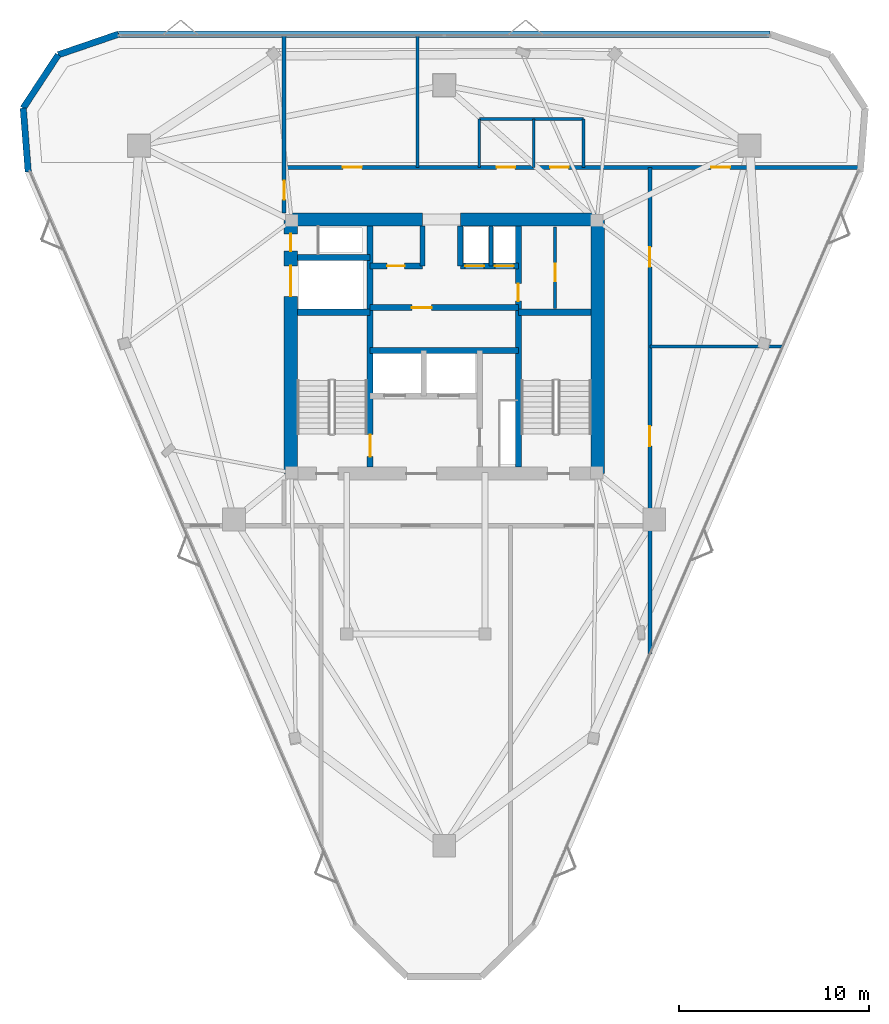
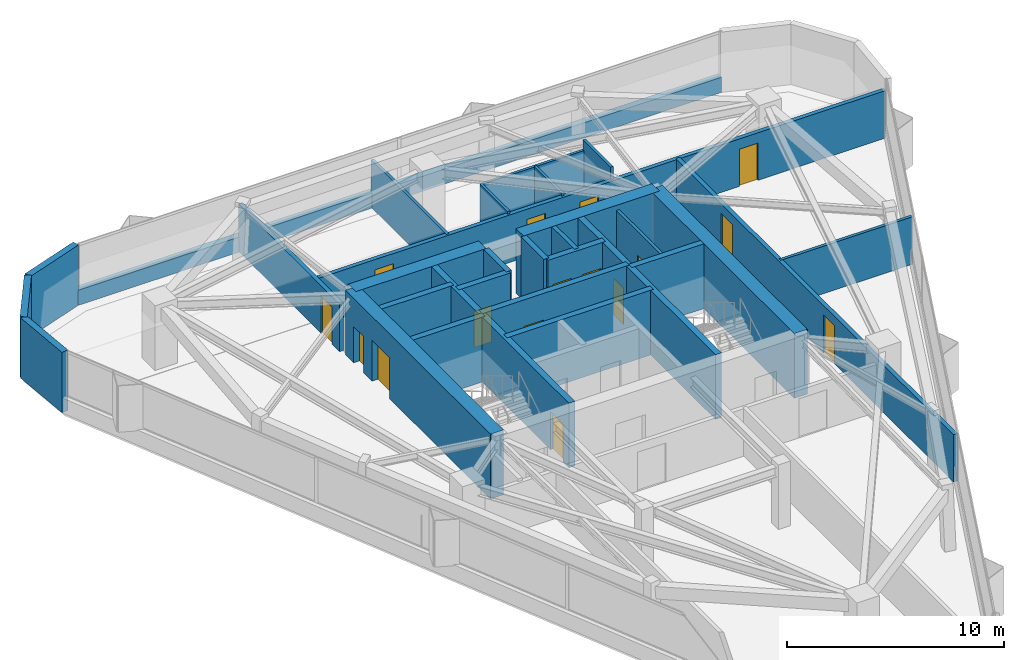
# One storey, part 9 of 12: 30 walls, 16 doors, 16 openings.
"""IFC4 building model written with IfcOpenShell, lengths in metres."""

import ifcopenshell
import ifcopenshell.guid

model = None  # the IFC model being written
_history = None  # IfcOwnerHistory: only IFC2X3 demands one
_inside = {}  # id of a spatial element -> (the spatial element, [elements in it])
_under = {}  # id of a project, library or spatial element -> (it, [spatial elements below it])
_declared = {}  # id of a project -> (the project, [libraries it declares])
_typed = {}  # id of a type object -> (the type object, [elements of that type])
_made_of = {}  # id of a material, layer set ... -> (it, [elements and type objects made of it])


def new_model(schema):
    """Start an empty IFC model of exactly this schema.

    Asked for "IFC4X3", IfcOpenShell would pick the latest addendum, in which some entities
    have other attributes; the version numbers below select the first issue.
    IFC2X3 requires an IfcOwnerHistory on every rooted entity: one is made here for all.
    """
    global model, _history
    if schema == "IFC4X3":
        model = ifcopenshell.file(schema_version=(4, 3, 0, 0))
    else:
        model = ifcopenshell.file(schema=schema)
    _inside.clear()
    _under.clear()
    _declared.clear()
    _typed.clear()
    _made_of.clear()
    _history = None
    if model.schema == "IFC2X3":
        org = make("IfcOrganization", Name="unknown")
        user = make(
            "IfcPersonAndOrganization",
            ThePerson=make("IfcPerson", FamilyName="unknown"),
            TheOrganization=org,
        )
        app = make(
            "IfcApplication",
            ApplicationDeveloper=org,
            Version="unknown",
            ApplicationFullName="unknown",
            ApplicationIdentifier="unknown",
        )
        _history = make(
            "IfcOwnerHistory",
            OwningUser=user,
            OwningApplication=app,
            ChangeAction="ADDED",
            CreationDate=0,
        )
    return model


def make(cls, **values):
    """One entity of the class cls with the attributes given. An attribute that is None is left unset."""
    return model.create_entity(
        cls, **{name: value for name, value in values.items() if value is not None}
    )


def rooted(cls, **values):
    """An entity with a GlobalId (a new one), such as an element, a storey or a relation."""
    return make(cls, GlobalId=ifcopenshell.guid.new(), OwnerHistory=_history, **values)


def si_unit(unit_type, name, prefix=None):
    """IfcSIUnit, for example si_unit("LENGTHUNIT", "METRE", prefix="MILLI")."""
    return make("IfcSIUnit", UnitType=unit_type, Prefix=prefix, Name=name)


def assignment(units):
    """IfcUnitAssignment: the units of a project."""
    return None if units is None else make("IfcUnitAssignment", Units=units)


def point(xyz):
    """IfcCartesianPoint."""
    return None if xyz is None else make("IfcCartesianPoint", Coordinates=xyz)


def direction(xyz):
    """IfcDirection."""
    return None if xyz is None else make("IfcDirection", DirectionRatios=xyz)


def frame(location, z_axis=None, x_axis=None):
    """IfcAxis2Placement3D, a coordinate frame: its origin and axes. An axis left out is left unset."""
    return make(
        "IfcAxis2Placement3D",
        Location=point(location),
        Axis=direction(z_axis),
        RefDirection=direction(x_axis),
    )


def frame_2d(location, x_axis=None):
    """IfcAxis2Placement2D, a coordinate frame in the plane: its origin and x axis."""
    return make(
        "IfcAxis2Placement2D", Location=point(location), RefDirection=direction(x_axis)
    )


def origin():
    """The frame at (0, 0, 0) with its axes left unset."""
    return frame((0.0, 0.0, 0.0))


def place(relative_to, where):
    """IfcLocalPlacement: puts the frame where relative to a parent placement (None: the world)."""
    return make(
        "IfcLocalPlacement", PlacementRelTo=relative_to, RelativePlacement=where
    )


def context(
    kind, dimensions, precision=None, world=None, true_north=None, identifier=None
):
    """IfcGeometricRepresentationContext, for example the 3D "Model" context."""
    return make(
        "IfcGeometricRepresentationContext",
        ContextIdentifier=identifier,
        ContextType=kind,
        CoordinateSpaceDimension=dimensions,
        Precision=precision,
        WorldCoordinateSystem=world,
        TrueNorth=true_north,
    )


def subcontext(parent, identifier, kind, view, scale=None):
    """IfcGeometricRepresentationSubContext, for example "Body" below "Model"."""
    return make(
        "IfcGeometricRepresentationSubContext",
        ContextIdentifier=identifier,
        ContextType=kind,
        ParentContext=parent,
        TargetScale=scale,
        TargetView=view,
    )


def project(units=None, contexts=None):
    """IfcProject with its units and contexts."""
    return rooted(
        "IfcProject",
        Name="project",
        RepresentationContexts=contexts,
        UnitsInContext=assignment(units),
    )


def spatial(cls, under=None, at=None, **own):
    """A site, building, storey or space (cls), placed at a placement, below another one or the project."""
    s = rooted(cls, ObjectPlacement=at, **own)
    if under is not None:
        _under.setdefault(under.id(), (under, []))[1].append(s)
    return s


def profile(cls, at=None, kind="AREA", **sizes):
    """A parametric profile (cls). Its sizes go by their IFC names, for example OverallWidth=200.0."""
    return make(cls, ProfileType=kind, Position=at, **sizes)


def rectangle(**sizes):
    """IfcRectangleProfileDef."""
    return profile("IfcRectangleProfileDef", **sizes)


def extrude(swept, where, along, depth):
    """IfcExtrudedAreaSolid: the profile swept, set in the frame where, extruded along a direction by depth."""
    return make(
        "IfcExtrudedAreaSolid",
        SweptArea=swept,
        Position=where,
        ExtrudedDirection=direction(along),
        Depth=depth,
    )


def shape(context_of_items, identifier, shape_type, items):
    """IfcShapeRepresentation: the items that make up one representation, for example the "Body"."""
    return make(
        "IfcShapeRepresentation",
        ContextOfItems=context_of_items,
        RepresentationIdentifier=identifier,
        RepresentationType=shape_type,
        Items=items,
    )


def material(Name=None, Category=None):
    """IfcMaterial."""
    return make("IfcMaterial", Name=Name, Category=Category)


def layer(
    of_material, thickness, ventilated=None, Name=None, Category=None, Priority=None
):
    """IfcMaterialLayer: one layer of a wall or slab, of a material (None: an air gap)."""
    return make(
        "IfcMaterialLayer",
        Material=of_material,
        LayerThickness=thickness,
        IsVentilated=ventilated,
        Name=Name,
        Category=Category,
        Priority=Priority,
    )


def layer_set(layers, Name=None):
    """IfcMaterialLayerSet."""
    return make("IfcMaterialLayerSet", MaterialLayers=layers, LayerSetName=Name)


def made_of(thing, what):
    """Note that an element or type object is made of a material, layer set ...; save() writes the relation."""
    if what is not None:
        _made_of.setdefault(what.id(), (what, []))[1].append(thing)
    return thing


def type_object(cls, material=None, **own):
    """A type object (cls), such as IfcWallType, which elements share."""
    return made_of(rooted(cls, **own), material)


def element(
    cls,
    number,
    at=None,
    inside=None,
    cuts=None,
    type_object=None,
    material=None,
    context=None,
    identifier="Body",
    shape_type=None,
    held_by="IfcProductDefinitionShape",
    body=None,
    shapes=None,
    **own,
):
    """One element of the class cls, such as IfcWall. Its Tag is "e" and its number.

    at: its placement. inside: the storey or other place that contains it. cuts: it is an
    opening in that element (IfcRelVoidsElement). A single representation is given by context,
    identifier, shape_type and body (its items); several are given by shapes. held_by: the class
    of the entity that holds the representations. save() writes the other relations.
    """
    e = rooted(cls, Tag="e%d" % number, ObjectPlacement=at, **own)
    if body is not None:
        shapes = [shape(context, identifier, shape_type, body)]
    if shapes is not None:
        e.Representation = make(held_by, Representations=shapes)
    if inside is not None:
        _inside.setdefault(inside.id(), (inside, []))[1].append(e)
    if cuts is not None:
        rooted(
            "IfcRelVoidsElement", RelatingBuildingElement=cuts, RelatedOpeningElement=e
        )
    if type_object is not None:
        _typed.setdefault(type_object.id(), (type_object, []))[1].append(e)
    return made_of(e, material)


def fill(opening, filler):
    """IfcRelFillsElement: the door or window that sits in an opening."""
    return rooted(
        "IfcRelFillsElement",
        RelatingOpeningElement=opening,
        RelatedBuildingElement=filler,
    )


def aggregate(whole, parts):
    """IfcRelAggregates: a whole, such as a stair, and the parts it consists of."""
    return rooted("IfcRelAggregates", RelatingObject=whole, RelatedObjects=parts)


def save(model, path):
    """Write the relations noted so far, then the file.

    IfcRelAggregates (storeys below a building ...), IfcRelContainedInSpatialStructure (elements
    in a storey), IfcRelDefinesByType, IfcRelAssociatesMaterial and IfcRelDeclares: one each for
    every whole, place, type object, material and project.
    """
    for whole, parts in _under.values():
        aggregate(whole, parts)
    for where, things in _inside.values():
        rooted(
            "IfcRelContainedInSpatialStructure",
            RelatedElements=things,
            RelatingStructure=where,
        )
    for kind, things in _typed.values():
        rooted("IfcRelDefinesByType", RelatedObjects=things, RelatingType=kind)
    for what, things in _made_of.values():
        rooted("IfcRelAssociatesMaterial", RelatedObjects=things, RelatingMaterial=what)
    for by, libraries in _declared.values():
        rooted("IfcRelDeclares", RelatingContext=by, RelatedDefinitions=libraries)
    model.write(path)


model = new_model("IFC4")

# Units and contexts
model_context = context("Model", 3, precision=1e-05, world=origin(), true_north=direction((0.0, 1.0)))
body_context = subcontext(model_context, "Body", "Model", "MODEL_VIEW")
ifc_project = project(units=[si_unit("LENGTHUNIT", "METRE"), si_unit("AREAUNIT", "SQUARE_METRE"), si_unit("VOLUMEUNIT", "CUBIC_METRE"), si_unit("PLANEANGLEUNIT", "RADIAN"), si_unit("MASSUNIT", "GRAM", prefix="KILO")], contexts=[model_context])

# Site, building, storey
site_placement = place(None, origin())
site = spatial("IfcSite", under=ifc_project, at=site_placement, CompositionType="ELEMENT")
building_placement = place(site_placement, origin())
building = spatial("IfcBuilding", under=site, at=building_placement, Name="Talyreon Biosciences Tower", CompositionType="ELEMENT")
storey_placement = place(building_placement, frame((0.0, 0.0, 268.10009765625)))
storey = spatial("IfcBuildingStorey", under=building, at=storey_placement, Name="L71", CompositionType="ELEMENT", Elevation=268.10009765625)

# Walls
ifc_material_1 = material(Name="Concrete C50/60", Category="concrete")
ifc_layer_1 = layer(ifc_material_1, 0.219970703125)
ifc_layer_set_1 = layer_set([ifc_layer_1], Name="Concrete C50/60")
wall_type_1 = type_object("IfcWallType", Name="CoreShearWall_220", PredefinedType="SHEAR", material=ifc_layer_set_1)
wall_1_placement = place(storey_placement, frame((68.4599609375, 72.25, 0.0), z_axis=(0.0, 0.0, 1.0), x_axis=(0.0, 1.0, 0.0)))
element("IfcWall", 1, at=wall_1_placement, inside=storey, type_object=wall_type_1, Name="L71 Core Shaft Wall SWPHD", PredefinedType="SHEAR", context=body_context, shape_type="SweptSolid", body=[
    extrude(rectangle(XDim=2.10009765625, YDim=0.219970703125, at=frame_2d((1.050048828125, 0.0))), origin(), (0.0, 0.0, 1.0), 3.64990234375),
])
ifc_layer_2 = layer(ifc_material_1, 0.280029296875)
ifc_layer_set_2 = layer_set([ifc_layer_2], Name="Concrete C50/60")
wall_type_2 = type_object("IfcWallType", Name="CoreShearWall_280", PredefinedType="SHEAR", material=ifc_layer_set_2)
for number, where, z_axis, x_axis, name in (
    (2, (64.85009765625, 72.25, 0.0), (0.0, 0.0, 1.0), (0.0, 1.0, 0.0), "L71 Core Shaft Wall SWTHW"),
    (3, (66.85009765625, 72.25, 0.0), (0.0, 0.0, 1.0), (0.0, 1.0, 0.0), "L71 Core Shaft Wall SWTHE"),
):
    element("IfcWall", number, at=place(storey_placement, frame(where, z_axis=z_axis, x_axis=x_axis)), inside=storey, type_object=wall_type_2, Name=name, PredefinedType="SHEAR", context=body_context, shape_type="SweptSolid", body=[
        extrude(rectangle(XDim=2.10009765625, YDim=0.280029296875, at=frame_2d((1.050048828125, 0.0))), origin(), (0.0, 0.0, 1.0), 3.64990234375),
    ])

# Wall, opening, door
ifc_layer_3 = layer(ifc_material_1, 0.320068359375)
ifc_layer_set_3 = layer_set([ifc_layer_3], Name="Concrete C50/60")
wall_type_3 = type_object("IfcWallType", Name="CoreShearWall_320", PredefinedType="SHEAR", material=ifc_layer_set_3)
wall_2_placement = place(storey_placement, frame((62.090087890625, 61.64990234375, 0.0), z_axis=(0.0, 0.0, 1.0), x_axis=(0.0, 1.0, 0.0)))
wall_2 = element("IfcWall", 4, at=wall_2_placement, inside=storey, type_object=wall_type_3, Name="L71 Core Shaft Wall SW1E", PredefinedType="SHEAR", context=body_context, shape_type="SweptSolid", body=[
    extrude(rectangle(XDim=12.7001953125, YDim=0.320068359375, at=frame_2d((6.35009765625, 0.0))), origin(), (0.0, 0.0, 1.0), 3.64990234375),
])
opening_1_placement = place(wall_2_placement, frame((0.550048828125, 0.0, 0.0)))
opening_1 = element("IfcOpeningElement", 5, at=opening_1_placement, cuts=wall_2, Name="Opening DR-L71-FF-ST1", PredefinedType="OPENING", context=body_context, shape_type="SweptSolid", body=[
    extrude(rectangle(XDim=1.14990234375, YDim=2.14990234375, at=frame_2d((0.574951171875, 1.074951171875))), frame((0.0, 0.169921875, 0.0), z_axis=(0.0, -1.0, 0.0), x_axis=(1.0, 0.0, 0.0)), (0.0, 0.0, 1.0), 0.340087890625),
])
ifc_material_2 = material(Name="Painted steel fire door", Category="steel")
door_type_1 = type_object("IfcDoorType", Name="StairShaftFireDoor_1150x2150", OperationType="NOTDEFINED", PredefinedType="DOOR", material=ifc_material_2)
door_1_placement = place(opening_1_placement, origin())
door_1 = element("IfcDoor", 6, at=door_1_placement, inside=storey, type_object=door_type_1, Name="L71 Core Door DR-L71-FF-ST1", OperationType="SINGLE_SWING_LEFT", OverallHeight=2.14990234375, OverallWidth=1.14990234375, PredefinedType="DOOR", context=body_context, shape_type="SweptSolid", body=[
    extrude(rectangle(XDim=1.14990234375, YDim=2.14990234375, at=frame_2d((0.574951171875, 1.074951171875))), frame((0.0, 0.02490234375, 0.0), z_axis=(0.0, -1.0, 0.0), x_axis=(1.0, 0.0, 0.0)), (0.0, 0.0, 1.0), 0.050048828125),
])
fill(opening_1, door_1)

wall_3_placement = place(storey_placement, frame((69.909912109375, 61.64990234375, 0.0), z_axis=(0.0, 0.0, 1.0), x_axis=(0.0, 1.0, 0.0)))
wall_3 = element("IfcWall", 7, at=wall_3_placement, inside=storey, type_object=wall_type_3, Name="L71 Core Shaft Wall SW2W", PredefinedType="SHEAR", context=body_context, shape_type="SweptSolid", body=[
    extrude(rectangle(XDim=12.7001953125, YDim=0.320068359375, at=frame_2d((6.35009765625, 0.0))), origin(), (0.0, 0.0, 1.0), 3.64990234375),
])
opening_2_placement = place(wall_3_placement, frame((8.75, 0.0, 0.0)))
opening_2 = element("IfcOpeningElement", 8, at=opening_2_placement, cuts=wall_3, Name="Opening DR-L71-CSRV", PredefinedType="OPENING", context=body_context, shape_type="SweptSolid", body=[
    extrude(rectangle(XDim=0.919921875, YDim=2.050048828125, at=frame_2d((0.4599609375, 1.02490234375))), frame((0.0, 0.169921875, 0.0), z_axis=(0.0, -1.0, 0.0), x_axis=(1.0, 0.0, 0.0)), (0.0, 0.0, 1.0), 0.340087890625),
])
ifc_material_3 = material(Name="Painted steel fire-rated riser door", Category="steel")
door_type_2 = type_object("IfcDoorType", Name="RiserPlantAccessDoor_920x2050", OperationType="NOTDEFINED", PredefinedType="DOOR", material=ifc_material_3)
door_2_placement = place(opening_2_placement, origin())
door_2 = element("IfcDoor", 9, at=door_2_placement, inside=storey, type_object=door_type_2, Name="L71 Core Door DR-L71-CSRV", OperationType="SINGLE_SWING_RIGHT", OverallHeight=2.050048828125, OverallWidth=0.919921875, PredefinedType="DOOR", context=body_context, shape_type="SweptSolid", body=[
    extrude(rectangle(XDim=0.919921875, YDim=2.050048828125, at=frame_2d((0.4599609375, 1.02490234375))), frame((0.0, 0.02490234375, 0.0), z_axis=(0.0, -1.0, 0.0), x_axis=(1.0, 0.0, 0.0)), (0.0, 0.0, 1.0), 0.050048828125),
])
fill(opening_2, door_2)

# Walls
for number, where, z_axis, x_axis, name in (
    (10, (58.25, 69.81005859375, 0.0), (0.0, 0.0, 1.0), (1.0, 0.0, 0.0), "L71 Core Shaft Wall SW1N"),
    (11, (69.909912109375, 69.81005859375, 0.0), (0.0, 0.0, 1.0), (1.0, 0.0, 0.0), "L71 Core Shaft Wall SW2N"),
    (12, (58.25, 72.699951171875, 0.0), (0.0, 0.0, 1.0), (1.0, 0.0, 0.0), "L71 Core Shaft Wall SWGLN"),
):
    element("IfcWall", number, at=place(storey_placement, frame(where, z_axis=z_axis, x_axis=x_axis)), inside=storey, type_object=wall_type_3, Name=name, PredefinedType="SHEAR", context=body_context, shape_type="SweptSolid", body=[
        extrude(rectangle(XDim=3.840087890625, YDim=0.320068359375, at=frame_2d((1.919921875, 0.0))), origin(), (0.0, 0.0, 1.0), 3.64990234375),
    ])
wall_4_placement = place(storey_placement, frame((62.090087890625, 67.800048828125, 0.0), z_axis=(0.0, 0.0, 1.0), x_axis=(1.0, 0.0, 0.0)))
element("IfcWall", 13, at=wall_4_placement, inside=storey, type_object=wall_type_3, Name="L71 Core Shaft Wall SWSHM", PredefinedType="SHEAR", context=body_context, shape_type="SweptSolid", body=[
    extrude(rectangle(XDim=7.81982421875, YDim=0.320068359375, at=frame_2d((3.909912109375, 0.0))), origin(), (0.0, 0.0, 1.0), 3.64990234375),
])

# Wall, opening, door
wall_5_placement = place(storey_placement, frame((62.090087890625, 70.050048828125, 0.0), z_axis=(0.0, 0.0, 1.0), x_axis=(1.0, 0.0, 0.0)))
wall_5 = element("IfcWall", 14, at=wall_5_placement, inside=storey, type_object=wall_type_3, Name="L71 Core Shaft Wall SWSPN", PredefinedType="SHEAR", context=body_context, shape_type="SweptSolid", body=[
    extrude(rectangle(XDim=7.81982421875, YDim=0.320068359375, at=frame_2d((3.909912109375, 0.0))), origin(), (0.0, 0.0, 1.0), 3.64990234375),
])
opening_3_placement = place(wall_5_placement, frame((2.199951171875, 0.0, 0.0)))
opening_3 = element("IfcOpeningElement", 15, at=opening_3_placement, cuts=wall_5, Name="Opening DR-L71-PLPMFREE", PredefinedType="OPENING", context=body_context, shape_type="SweptSolid", body=[
    extrude(rectangle(XDim=1.050048828125, YDim=2.14990234375, at=frame_2d((0.52490234375, 1.074951171875))), frame((0.0, 0.169921875, 0.0), z_axis=(0.0, -1.0, 0.0), x_axis=(1.0, 0.0, 0.0)), (0.0, 0.0, 1.0), 0.340087890625),
])
ifc_material_4 = material(Name="Acoustic timber-core laboratory door", Category="wood")
door_type_3 = type_object("IfcDoorType", Name="DryLabSingleDoor_1050x2150", OperationType="NOTDEFINED", PredefinedType="DOOR", material=ifc_material_4)
door_3_placement = place(opening_3_placement, origin())
door_3 = element("IfcDoor", 16, at=door_3_placement, inside=storey, type_object=door_type_3, Name="L71 Core Door DR-L71-PLPMFREE", OperationType="SINGLE_SWING_LEFT", OverallHeight=2.14990234375, OverallWidth=1.050048828125, PredefinedType="DOOR", context=body_context, shape_type="SweptSolid", body=[
    extrude(rectangle(XDim=1.050048828125, YDim=2.14990234375, at=frame_2d((0.52490234375, 1.074951171875))), frame((0.0, 0.02490234375, 0.0), z_axis=(0.0, -1.0, 0.0), x_axis=(1.0, 0.0, 0.0)), (0.0, 0.0, 1.0), 0.050048828125),
])
fill(opening_3, door_3)

wall_6_placement = place(storey_placement, frame((62.090087890625, 72.25, 0.0), z_axis=(0.0, 0.0, 1.0), x_axis=(1.0, 0.0, 0.0)))
wall_6 = element("IfcWall", 17, at=wall_6_placement, inside=storey, type_object=wall_type_3, Name="L71 Core Shaft Wall SWNPW", PredefinedType="SHEAR", context=body_context, shape_type="SweptSolid", body=[
    extrude(rectangle(XDim=2.760009765625, YDim=0.320068359375, at=frame_2d((1.3798828125, 0.0))), origin(), (0.0, 0.0, 1.0), 3.64990234375),
])
opening_4_placement = place(wall_6_placement, frame((0.89990234375, 0.0, 0.0)))
opening_4 = element("IfcOpeningElement", 18, at=opening_4_placement, cuts=wall_6, Name="Opening DR-L71-PM2FREE", PredefinedType="OPENING", context=body_context, shape_type="SweptSolid", body=[
    extrude(rectangle(XDim=0.919921875, YDim=2.050048828125, at=frame_2d((0.4599609375, 1.02490234375))), frame((0.0, 0.169921875, 0.0), z_axis=(0.0, -1.0, 0.0), x_axis=(1.0, 0.0, 0.0)), (0.0, 0.0, 1.0), 0.340087890625),
])
door_4_placement = place(opening_4_placement, origin())
door_4 = element("IfcDoor", 19, at=door_4_placement, inside=storey, type_object=door_type_2, Name="L71 Core Door DR-L71-PM2FREE", OperationType="SINGLE_SWING_RIGHT", OverallHeight=2.050048828125, OverallWidth=0.919921875, PredefinedType="DOOR", context=body_context, shape_type="SweptSolid", body=[
    extrude(rectangle(XDim=0.919921875, YDim=2.050048828125, at=frame_2d((0.4599609375, 1.02490234375))), frame((0.0, 0.02490234375, 0.0), z_axis=(0.0, -1.0, 0.0), x_axis=(1.0, 0.0, 0.0)), (0.0, 0.0, 1.0), 0.050048828125),
])
fill(opening_4, door_4)

# Wall, openings, doors
wall_7_placement = place(storey_placement, frame((66.85009765625, 72.25, 0.0), z_axis=(0.0, 0.0, 1.0), x_axis=(1.0, 0.0, 0.0)))
wall_7 = element("IfcWall", 20, at=wall_7_placement, inside=storey, type_object=wall_type_3, Name="L71 Core Shaft Wall SWNPE", PredefinedType="SHEAR", context=body_context, shape_type="SweptSolid", body=[
    extrude(rectangle(XDim=3.059814453125, YDim=0.320068359375, at=frame_2d((1.52978515625, 0.0))), origin(), (0.0, 0.0, 1.0), 3.64990234375),
])
opening_5_placement = place(wall_7_placement, frame((0.25, 0.0, 0.0)))
opening_5 = element("IfcOpeningElement", 21, at=opening_5_placement, cuts=wall_7, Name="Opening LD-L71-PH1", PredefinedType="OPENING", context=body_context, shape_type="SweptSolid", body=[
    extrude(rectangle(XDim=1.0, YDim=2.199951171875, at=frame_2d((0.5, 1.10009765625))), frame((0.0, 0.169921875, 0.0), z_axis=(0.0, -1.0, 0.0), x_axis=(1.0, 0.0, 0.0)), (0.0, 0.0, 1.0), 0.340087890625),
])
opening_6_placement = place(wall_7_placement, frame((1.820068359375, 0.0, 0.0)))
opening_6 = element("IfcOpeningElement", 22, at=opening_6_placement, cuts=wall_7, Name="Opening LD-L71-PH2", PredefinedType="OPENING", context=body_context, shape_type="SweptSolid", body=[
    extrude(rectangle(XDim=1.0, YDim=2.199951171875, at=frame_2d((0.5, 1.10009765625))), frame((0.0, 0.169921875, 0.0), z_axis=(0.0, -1.0, 0.0), x_axis=(1.0, 0.0, 0.0)), (0.0, 0.0, 1.0), 0.340087890625),
])
ifc_material_5 = material(Name="Brushed stainless-steel lift landing door", Category="steel")
door_type_4 = type_object("IfcDoorType", Name="LiftSlidingLandingDoor_1100x2200", OperationType="SLIDING_TO_LEFT", PredefinedType="DOOR", material=ifc_material_5)
door_5_placement = place(opening_5_placement, origin())
door_5 = element("IfcDoor", 23, at=door_5_placement, inside=storey, type_object=door_type_4, Name="L71 Core Door LD-L71-PH1", OperationType="SLIDING_TO_LEFT", OverallHeight=2.199951171875, OverallWidth=1.0, PredefinedType="DOOR", context=body_context, shape_type="SweptSolid", body=[
    extrude(rectangle(XDim=1.0, YDim=2.199951171875, at=frame_2d((0.5, 1.10009765625))), frame((0.0, 0.02490234375, 0.0), z_axis=(0.0, -1.0, 0.0), x_axis=(1.0, 0.0, 0.0)), (0.0, 0.0, 1.0), 0.050048828125),
])
fill(opening_5, door_5)
door_6_placement = place(opening_6_placement, origin())
door_6 = element("IfcDoor", 24, at=door_6_placement, inside=storey, type_object=door_type_4, Name="L71 Core Door LD-L71-PH2", OperationType="SLIDING_TO_LEFT", OverallHeight=2.199951171875, OverallWidth=1.0, PredefinedType="DOOR", context=body_context, shape_type="SweptSolid", body=[
    extrude(rectangle(XDim=1.0, YDim=2.199951171875, at=frame_2d((0.5, 1.10009765625))), frame((0.0, 0.02490234375, 0.0), z_axis=(0.0, -1.0, 0.0), x_axis=(1.0, 0.0, 0.0)), (0.0, 0.0, 1.0), 0.050048828125),
])
fill(opening_6, door_6)

# Walls
ifc_layer_4 = layer(ifc_material_1, 0.699951171875)
ifc_layer_set_4 = layer_set([ifc_layer_4], Name="Concrete C50/60")
wall_type_4 = type_object("IfcWallType", Name="CoreShearWall_700", PredefinedType="SHEAR", material=ifc_layer_set_4)
wall_8_placement = place(storey_placement, frame((74.10009765625, 61.300048828125, 0.0), z_axis=(0.0, 0.0, 1.0), x_axis=(0.0, 1.0, 0.0)))
element("IfcWall", 25, at=wall_8_placement, inside=storey, type_object=wall_type_4, Name="L71 Core Shear Wall E", PredefinedType="SHEAR", context=body_context, shape_type="SweptSolid", body=[
    extrude(rectangle(XDim=13.39990234375, YDim=0.699951171875, at=frame_2d((6.699951171875, 0.0))), origin(), (0.0, 0.0, 1.0), 3.64990234375),
])
wall_9_placement = place(storey_placement, frame((74.10009765625, 74.699951171875, 0.0), z_axis=(0.0, 0.0, 1.0), x_axis=(-1.0, 0.0, 0.0)))
element("IfcWall", 26, at=wall_9_placement, inside=storey, type_object=wall_type_4, Name="L71 Core Shear Wall NE", PredefinedType="SHEAR", context=body_context, shape_type="SweptSolid", body=[
    extrude(rectangle(XDim=7.25, YDim=0.699951171875, at=frame_2d((3.625, 0.0))), origin(), (0.0, 0.0, 1.0), 3.64990234375),
])
wall_10_placement = place(storey_placement, frame((64.85009765625, 74.699951171875, 0.0), z_axis=(0.0, 0.0, 1.0), x_axis=(-1.0, 0.0, 0.0)))
element("IfcWall", 27, at=wall_10_placement, inside=storey, type_object=wall_type_4, Name="L71 Core Shear Wall NW", PredefinedType="SHEAR", context=body_context, shape_type="SweptSolid", body=[
    extrude(rectangle(XDim=6.9501953125, YDim=0.699951171875, at=frame_2d((3.47509765625, 0.0))), origin(), (0.0, 0.0, 1.0), 3.64990234375),
])

# Wall, openings, doors
wall_11_placement = place(storey_placement, frame((57.89990234375, 74.699951171875, 0.0), z_axis=(0.0, 0.0, 1.0), x_axis=(0.0, -1.0, 0.0)))
wall_11 = element("IfcWall", 28, at=wall_11_placement, inside=storey, type_object=wall_type_4, Name="L71 Core Shear Wall W", PredefinedType="SHEAR", context=body_context, shape_type="SweptSolid", body=[
    extrude(rectangle(XDim=13.39990234375, YDim=0.699951171875, at=frame_2d((6.699951171875, 0.0))), origin(), (0.0, 0.0, 1.0), 3.64990234375),
])
opening_7_placement = place(wall_11_placement, frame((0.75, 0.0, 0.0)))
opening_7 = element("IfcOpeningElement", 29, at=opening_7_placement, cuts=wall_11, Name="Opening DR-L71-RSW", PredefinedType="OPENING", context=body_context, shape_type="SweptSolid", body=[
    extrude(rectangle(XDim=0.919921875, YDim=2.050048828125, at=frame_2d((0.4599609375, 1.02490234375))), frame((0.0, 0.35986328125, 0.0), z_axis=(0.0, -1.0, 0.0), x_axis=(1.0, 0.0, 0.0)), (0.0, 0.0, 1.0), 0.719970703125),
])
opening_8_placement = place(wall_11_placement, frame((2.449951171875, 0.0, 0.0)))
opening_8 = element("IfcOpeningElement", 30, at=opening_8_placement, cuts=wall_11, Name="Opening LD-L71-GL1", PredefinedType="OPENING", context=body_context, shape_type="SweptSolid", body=[
    extrude(rectangle(XDim=1.60009765625, YDim=2.300048828125, at=frame_2d((0.800048828125, 1.14990234375))), frame((0.0, 0.35986328125, 0.0), z_axis=(0.0, -1.0, 0.0), x_axis=(1.0, 0.0, 0.0)), (0.0, 0.0, 1.0), 0.719970703125),
])
ifc_material_6 = material(Name="Heavy-duty stainless-steel goods lift door", Category="steel")
door_type_5 = type_object("IfcDoorType", Name="GoodsLiftSlidingDoor_1600x2300", OperationType="DOUBLE_DOOR_SLIDING", PredefinedType="DOOR", material=ifc_material_6)
door_7_placement = place(opening_8_placement, origin())
door_7 = element("IfcDoor", 31, at=door_7_placement, inside=storey, type_object=door_type_5, Name="L71 Core Door LD-L71-GL1", OperationType="DOUBLE_DOOR_SLIDING", OverallHeight=2.300048828125, OverallWidth=1.60009765625, PredefinedType="DOOR", context=body_context, shape_type="SweptSolid", body=[
    extrude(rectangle(XDim=1.60009765625, YDim=2.300048828125, at=frame_2d((0.800048828125, 1.14990234375))), frame((0.0, 0.02490234375, 0.0), z_axis=(0.0, -1.0, 0.0), x_axis=(1.0, 0.0, 0.0)), (0.0, 0.0, 1.0), 0.050048828125),
])
fill(opening_8, door_7)
door_8_placement = place(opening_7_placement, origin())
door_8 = element("IfcDoor", 32, at=door_8_placement, inside=storey, type_object=door_type_2, Name="L71 Core Door DR-L71-RSW", OperationType="SINGLE_SWING_LEFT", OverallHeight=2.050048828125, OverallWidth=0.919921875, PredefinedType="DOOR", context=body_context, shape_type="SweptSolid", body=[
    extrude(rectangle(XDim=0.919921875, YDim=2.050048828125, at=frame_2d((0.4599609375, 1.02490234375))), frame((0.0, 0.02490234375, 0.0), z_axis=(0.0, -1.0, 0.0), x_axis=(1.0, 0.0, 0.0)), (0.0, 0.0, 1.0), 0.050048828125),
])
fill(opening_7, door_8)

ifc_material_7 = material(Name="Gypsum fireboard acoustic stud", Category="gypsum")
ifc_layer_5 = layer(ifc_material_7, 0.219970703125)
ifc_layer_set_5 = layer_set([ifc_layer_5], Name="Gypsum fireboard acoustic stud")
wall_type_5 = type_object("IfcWallType", Name="CorridorRatedPartition_220", PredefinedType="PARTITIONING", material=ifc_layer_set_5)
wall_12_placement = place(storey_placement, frame((57.550048828125, 77.449951171875, 0.0), z_axis=(0.0, 0.0, 1.0), x_axis=(1.0, 0.0, 0.0)))
wall_12 = element("IfcWall", 33, at=wall_12_placement, inside=storey, type_object=wall_type_5, Name="L71 Interior Wall IW-L71-COR-N", PredefinedType="PARTITIONING", context=body_context, shape_type="SweptSolid", body=[
    extrude(rectangle(XDim=30.328857421875, YDim=0.219970703125, at=frame_2d((15.16455078125, 0.0))), origin(), (0.0, 0.0, 1.0), 2.679931640625),
])
opening_9_placement = place(wall_12_placement, frame((11.2099609375, 0.0, 0.0)))
opening_9 = element("IfcOpeningElement", 34, at=opening_9_placement, cuts=wall_12, Name="Opening DR-L71-WC", PredefinedType="OPENING", context=body_context, shape_type="SweptSolid", body=[
    extrude(rectangle(XDim=0.97998046875, YDim=2.10009765625, at=frame_2d((0.489990234375, 1.050048828125))), frame((0.0, 0.119873046875, 0.0), z_axis=(0.0, -1.0, 0.0), x_axis=(1.0, 0.0, 0.0)), (0.0, 0.0, 1.0), 0.239990234375),
])
opening_10_placement = place(wall_12_placement, frame((14.034912109375, 0.0, 0.0)))
opening_10 = element("IfcOpeningElement", 35, at=opening_10_placement, cuts=wall_12, Name="Opening DR-L71-AWC", PredefinedType="OPENING", context=body_context, shape_type="SweptSolid", body=[
    extrude(rectangle(XDim=0.97998046875, YDim=2.10009765625, at=frame_2d((0.489990234375, 1.050048828125))), frame((0.0, 0.119873046875, 0.0), z_axis=(0.0, -1.0, 0.0), x_axis=(1.0, 0.0, 0.0)), (0.0, 0.0, 1.0), 0.239990234375),
])
opening_11_placement = place(wall_12_placement, frame((3.10009765625, 0.0, 0.0)))
opening_11 = element("IfcOpeningElement", 36, at=opening_11_placement, cuts=wall_12, Name="Opening DR-L71-N1A", PredefinedType="OPENING", context=body_context, shape_type="SweptSolid", body=[
    extrude(rectangle(XDim=1.0, YDim=2.10009765625, at=frame_2d((0.5, 1.050048828125))), frame((0.0, 0.119873046875, 0.0), z_axis=(0.0, -1.0, 0.0), x_axis=(1.0, 0.0, 0.0)), (0.0, 0.0, 1.0), 0.239990234375),
])
opening_12_placement = place(wall_12_placement, frame((22.529052734375, 0.0, 0.0)))
opening_12 = element("IfcOpeningElement", 37, at=opening_12_placement, cuts=wall_12, Name="Opening DR-L71-N2A", PredefinedType="OPENING", context=body_context, shape_type="SweptSolid", body=[
    extrude(rectangle(XDim=1.0, YDim=2.10009765625, at=frame_2d((0.5, 1.050048828125))), frame((0.0, 0.119873046875, 0.0), z_axis=(0.0, -1.0, 0.0), x_axis=(1.0, 0.0, 0.0)), (0.0, 0.0, 1.0), 0.239990234375),
])
ifc_material_8 = material(Name="Laminate moisture-resistant door", Category="wood")
door_type_6 = type_object("IfcDoorType", Name="AccessibleToiletDoor_980x2100", OperationType="NOTDEFINED", PredefinedType="DOOR", material=ifc_material_8)
door_9_placement = place(opening_9_placement, origin())
door_9 = element("IfcDoor", 38, at=door_9_placement, inside=storey, type_object=door_type_6, Name="L71 Interior Door DR-L71-WC", OperationType="SINGLE_SWING_RIGHT", OverallHeight=2.10009765625, OverallWidth=0.97998046875, PredefinedType="DOOR", context=body_context, shape_type="SweptSolid", body=[
    extrude(rectangle(XDim=0.97998046875, YDim=2.10009765625, at=frame_2d((0.489990234375, 1.050048828125))), frame((0.0, 0.02490234375, 0.0), z_axis=(0.0, -1.0, 0.0), x_axis=(1.0, 0.0, 0.0)), (0.0, 0.0, 1.0), 0.050048828125),
])
fill(opening_9, door_9)
door_10_placement = place(opening_10_placement, origin())
door_10 = element("IfcDoor", 39, at=door_10_placement, inside=storey, type_object=door_type_6, Name="L71 Interior Door DR-L71-AWC", OperationType="SINGLE_SWING_RIGHT", OverallHeight=2.10009765625, OverallWidth=0.97998046875, PredefinedType="DOOR", context=body_context, shape_type="SweptSolid", body=[
    extrude(rectangle(XDim=0.97998046875, YDim=2.10009765625, at=frame_2d((0.489990234375, 1.050048828125))), frame((0.0, 0.02490234375, 0.0), z_axis=(0.0, -1.0, 0.0), x_axis=(1.0, 0.0, 0.0)), (0.0, 0.0, 1.0), 0.050048828125),
])
fill(opening_10, door_10)
ifc_material_9 = material(Name="Acoustic oak veneer office door", Category="wood")
door_type_7 = type_object("IfcDoorType", Name="WriteupOfficeDoor_1000x2100", OperationType="NOTDEFINED", PredefinedType="DOOR", material=ifc_material_9)
door_11_placement = place(opening_11_placement, origin())
door_11 = element("IfcDoor", 40, at=door_11_placement, inside=storey, type_object=door_type_7, Name="L71 Interior Door DR-L71-N1A", OperationType="SINGLE_SWING_RIGHT", OverallHeight=2.10009765625, OverallWidth=1.0, PredefinedType="DOOR", context=body_context, shape_type="SweptSolid", body=[
    extrude(rectangle(XDim=1.0, YDim=2.10009765625, at=frame_2d((0.5, 1.050048828125))), frame((0.0, 0.02490234375, 0.0), z_axis=(0.0, -1.0, 0.0), x_axis=(1.0, 0.0, 0.0)), (0.0, 0.0, 1.0), 0.050048828125),
])
fill(opening_11, door_11)
door_12_placement = place(opening_12_placement, origin())
door_12 = element("IfcDoor", 41, at=door_12_placement, inside=storey, type_object=door_type_7, Name="L71 Interior Door DR-L71-N2A", OperationType="SINGLE_SWING_RIGHT", OverallHeight=2.10009765625, OverallWidth=1.0, PredefinedType="DOOR", context=body_context, shape_type="SweptSolid", body=[
    extrude(rectangle(XDim=1.0, YDim=2.10009765625, at=frame_2d((0.5, 1.050048828125))), frame((0.0, 0.02490234375, 0.0), z_axis=(0.0, -1.0, 0.0), x_axis=(1.0, 0.0, 0.0)), (0.0, 0.0, 1.0), 0.050048828125),
])
fill(opening_12, door_12)

# Wall, opening, door
wall_13_placement = place(storey_placement, frame((57.550048828125, 75.050048828125, 0.0), z_axis=(0.0, 0.0, 1.0), x_axis=(0.0, 1.0, 0.0)))
wall_13 = element("IfcWall", 42, at=wall_13_placement, inside=storey, type_object=wall_type_5, Name="L71 Interior Wall IW-L71-WCAP-N", PredefinedType="PARTITIONING", context=body_context, shape_type="SweptSolid", body=[
    extrude(rectangle(XDim=9.34912109375, YDim=0.219970703125, at=frame_2d((4.674560546875, 0.0))), origin(), (0.0, 0.0, 1.0), 2.679931640625),
])
opening_13_placement = place(wall_13_placement, frame((0.699951171875, 0.0, 0.0)))
opening_13 = element("IfcOpeningElement", 43, at=opening_13_placement, cuts=wall_13, Name="Opening DR-L71-W1A", PredefinedType="OPENING", context=body_context, shape_type="SweptSolid", body=[
    extrude(rectangle(XDim=1.0, YDim=2.10009765625, at=frame_2d((0.5, 1.050048828125))), frame((0.0, 0.119873046875, 0.0), z_axis=(0.0, -1.0, 0.0), x_axis=(1.0, 0.0, 0.0)), (0.0, 0.0, 1.0), 0.239990234375),
])
door_13_placement = place(opening_13_placement, origin())
door_13 = element("IfcDoor", 44, at=door_13_placement, inside=storey, type_object=door_type_7, Name="L71 Interior Door DR-L71-W1A", OperationType="SINGLE_SWING_RIGHT", OverallHeight=2.10009765625, OverallWidth=1.0, PredefinedType="DOOR", context=body_context, shape_type="SweptSolid", body=[
    extrude(rectangle(XDim=1.0, YDim=2.10009765625, at=frame_2d((0.5, 1.050048828125))), frame((0.0, 0.02490234375, 0.0), z_axis=(0.0, -1.0, 0.0), x_axis=(1.0, 0.0, 0.0)), (0.0, 0.0, 1.0), 0.050048828125),
])
fill(opening_13, door_13)

# Wall, openings, doors
wall_14_placement = place(storey_placement, frame((76.85009765625, 51.773193359375, 0.0), z_axis=(0.0, 0.0, 1.0), x_axis=(0.0, 1.0, 0.0)))
wall_14 = element("IfcWall", 45, at=wall_14_placement, inside=storey, type_object=wall_type_5, Name="L71 Interior Wall IW-L71-COR-E", PredefinedType="PARTITIONING", context=body_context, shape_type="SweptSolid", body=[
    extrude(rectangle(XDim=25.6767578125, YDim=0.219970703125, at=frame_2d((12.83837890625, 0.0))), origin(), (0.0, 0.0, 1.0), 2.679931640625),
])
opening_14_placement = place(wall_14_placement, frame((10.97705078125, 0.0, 0.0)))
opening_14 = element("IfcOpeningElement", 46, at=opening_14_placement, cuts=wall_14, Name="Opening DR-L71-E1A", PredefinedType="OPENING", context=body_context, shape_type="SweptSolid", body=[
    extrude(rectangle(XDim=1.050048828125, YDim=2.14990234375, at=frame_2d((0.52490234375, 1.074951171875))), frame((0.0, 0.119873046875, 0.0), z_axis=(0.0, -1.0, 0.0), x_axis=(1.0, 0.0, 0.0)), (0.0, 0.0, 1.0), 0.239990234375),
])
opening_15_placement = place(wall_14_placement, frame((20.427001953125, 0.0, 0.0)))
opening_15 = element("IfcOpeningElement", 47, at=opening_15_placement, cuts=wall_14, Name="Opening DR-L71-E2A", PredefinedType="OPENING", context=body_context, shape_type="SweptSolid", body=[
    extrude(rectangle(XDim=1.050048828125, YDim=2.14990234375, at=frame_2d((0.52490234375, 1.074951171875))), frame((0.0, 0.119873046875, 0.0), z_axis=(0.0, -1.0, 0.0), x_axis=(1.0, 0.0, 0.0)), (0.0, 0.0, 1.0), 0.239990234375),
])
door_14_placement = place(opening_14_placement, origin())
door_14 = element("IfcDoor", 48, at=door_14_placement, inside=storey, type_object=door_type_3, Name="L71 Interior Door DR-L71-E1A", OperationType="SINGLE_SWING_RIGHT", OverallHeight=2.14990234375, OverallWidth=1.050048828125, PredefinedType="DOOR", context=body_context, shape_type="SweptSolid", body=[
    extrude(rectangle(XDim=1.050048828125, YDim=2.14990234375, at=frame_2d((0.52490234375, 1.074951171875))), frame((0.0, 0.02490234375, 0.0), z_axis=(0.0, -1.0, 0.0), x_axis=(1.0, 0.0, 0.0)), (0.0, 0.0, 1.0), 0.050048828125),
])
fill(opening_14, door_14)
door_15_placement = place(opening_15_placement, origin())
door_15 = element("IfcDoor", 49, at=door_15_placement, inside=storey, type_object=door_type_3, Name="L71 Interior Door DR-L71-E2A", OperationType="SINGLE_SWING_RIGHT", OverallHeight=2.14990234375, OverallWidth=1.050048828125, PredefinedType="DOOR", context=body_context, shape_type="SweptSolid", body=[
    extrude(rectangle(XDim=1.050048828125, YDim=2.14990234375, at=frame_2d((0.52490234375, 1.074951171875))), frame((0.0, 0.02490234375, 0.0), z_axis=(0.0, -1.0, 0.0), x_axis=(1.0, 0.0, 0.0)), (0.0, 0.0, 1.0), 0.050048828125),
])
fill(opening_15, door_15)

# Wall, opening, door
ifc_material_10 = material(Name="Gypsum acoustic stud partition", Category="gypsum")
ifc_layer_6 = layer(ifc_material_10, 0.159912109375)
ifc_layer_set_6 = layer_set([ifc_layer_6], Name="Gypsum acoustic stud partition")
wall_type_6 = type_object("IfcWallType", Name="LabSeparationPartition_160", PredefinedType="PARTITIONING", material=ifc_layer_set_6)
wall_15_placement = place(storey_placement, frame((71.85009765625, 70.0, 0.0), z_axis=(0.0, 0.0, 1.0), x_axis=(0.0, 1.0, 0.0)))
wall_15 = element("IfcWall", 50, at=wall_15_placement, inside=storey, type_object=wall_type_6, Name="L71 Interior Wall IW-L71-CSRV-V", PredefinedType="PARTITIONING", context=body_context, shape_type="SweptSolid", body=[
    extrude(rectangle(XDim=4.300048828125, YDim=0.159912109375, at=frame_2d((2.14990234375, 0.0))), origin(), (0.0, 0.0, 1.0), 3.39990234375),
])
opening_16_placement = place(wall_15_placement, frame((1.449951171875, 0.0, 0.0)))
opening_16 = element("IfcOpeningElement", 51, at=opening_16_placement, cuts=wall_15, Name="Opening DR-L71-CSRV-I", PredefinedType="OPENING", context=body_context, shape_type="SweptSolid", body=[
    extrude(rectangle(XDim=0.919921875, YDim=2.050048828125, at=frame_2d((0.4599609375, 1.02490234375))), frame((0.0, 0.08984375, 0.0), z_axis=(0.0, -1.0, 0.0), x_axis=(1.0, 0.0, 0.0)), (0.0, 0.0, 1.0), 0.179931640625),
])
door_16_placement = place(opening_16_placement, origin())
door_16 = element("IfcDoor", 52, at=door_16_placement, inside=storey, type_object=door_type_2, Name="L71 Interior Door DR-L71-CSRV-I", OperationType="SINGLE_SWING_RIGHT", OverallHeight=2.050048828125, OverallWidth=0.919921875, PredefinedType="DOOR", context=body_context, shape_type="SweptSolid", body=[
    extrude(rectangle(XDim=0.919921875, YDim=2.050048828125, at=frame_2d((0.4599609375, 1.02490234375))), frame((0.0, 0.02490234375, 0.0), z_axis=(0.0, -1.0, 0.0), x_axis=(1.0, 0.0, 0.0)), (0.0, 0.0, 1.0), 0.050048828125),
])
fill(opening_16, door_16)

# Walls
wall_16_placement = place(storey_placement, frame((64.60009765625, 77.449951171875, 0.0), z_axis=(0.0, 0.0, 1.0), x_axis=(0.0, 1.0, 0.0)))
element("IfcWall", 53, at=wall_16_placement, inside=storey, type_object=wall_type_6, Name="L71 Interior Wall IW-L71-NDIV1", PredefinedType="PARTITIONING", context=body_context, shape_type="SweptSolid", body=[
    extrude(rectangle(XDim=6.94921875, YDim=0.159912109375, at=frame_2d((3.474609375, 0.0))), origin(), (0.0, 0.0, 1.0), 2.679931640625),
])
wall_17_placement = place(storey_placement, frame((76.85009765625, 68.0, 0.0), z_axis=(0.0, 0.0, 1.0), x_axis=(1.0, 0.0, 0.0)))
element("IfcWall", 54, at=wall_17_placement, inside=storey, type_object=wall_type_6, Name="L71 Interior Wall IW-L71-EDIV1", PredefinedType="PARTITIONING", context=body_context, shape_type="SweptSolid", body=[
    extrude(rectangle(XDim=7.016357421875, YDim=0.159912109375, at=frame_2d((3.50830078125, 0.0))), origin(), (0.0, 0.0, 1.0), 2.679931640625),
])
ifc_material_11 = material(Name="Precast concrete C45/55", Category="concrete")
ifc_layer_7 = layer(ifc_material_11, 0.340087890625)
ifc_layer_set_7 = layer_set([ifc_layer_7], Name="Precast concrete C45/55")
wall_type_7 = type_object("IfcWallType", Name="PrecastConcreteSpandrelWall_340", PredefinedType="STANDARD", material=ifc_layer_set_7)
wall_18_placement = place(storey_placement, frame((44.053955078125, 77.22021484375, 0.0), z_axis=(0.0, 0.0, 1.0), x_axis=(-0.078203957381, 0.996937380706, 0.0)))
element("IfcWall", 55, at=wall_18_placement, inside=storey, type_object=wall_type_7, Name="L71 Rounded-Corner Concrete Pier 01", PredefinedType="STANDARD", context=body_context, shape_type="SweptSolid", body=[
    extrude(rectangle(XDim=3.368408203125, YDim=0.340087890625, at=frame_2d((1.68408203125, 0.0))), origin(), (0.0, 0.0, 1.0), 3.39990234375),
])
wall_19_placement = place(storey_placement, frame((43.79052734375, 80.578369140625, 0.0), z_axis=(0.0, 0.0, 1.0), x_axis=(0.549134495039, 0.835733992582, 0.0)))
element("IfcWall", 56, at=wall_19_placement, inside=storey, type_object=wall_type_7, Name="L71 Rounded-Corner Concrete Pier 02", PredefinedType="STANDARD", context=body_context, shape_type="SweptSolid", body=[
    extrude(rectangle(XDim=3.3681640625, YDim=0.340087890625, at=frame_2d((1.68408203125, 0.0))), origin(), (0.0, 0.0, 1.0), 3.39990234375),
])
wall_20_placement = place(storey_placement, frame((45.64013671875, 83.393310546875, 0.0), z_axis=(0.0, 0.0, 1.0), x_axis=(0.946108474855, 0.323849893944, 0.0)))
element("IfcWall", 57, at=wall_20_placement, inside=storey, type_object=wall_type_7, Name="L71 Rounded-Corner Concrete Pier 03", PredefinedType="STANDARD", context=body_context, shape_type="SweptSolid", body=[
    extrude(rectangle(XDim=3.368408203125, YDim=0.340087890625, at=frame_2d((1.68408203125, 0.0))), origin(), (0.0, 0.0, 1.0), 3.39990234375),
])
wall_21_placement = place(storey_placement, frame((48.826904296875, 84.484130859375, 0.0), z_axis=(0.0, 0.0, 1.0), x_axis=(1.0, 0.0, 0.0)))
element("IfcWall", 58, at=wall_21_placement, inside=storey, type_object=wall_type_7, Name="L71 Expressed Concrete Sill Wall 04", PredefinedType="STANDARD", context=body_context, shape_type="SweptSolid", body=[
    extrude(rectangle(XDim=34.34619140625, YDim=0.340087890625, at=frame_2d((17.173095703125, 0.0))), origin(), (0.0, 0.0, 1.0), 0.849853515625),
])
ifc_material_12 = material(Name="Moisture-resistant cement-board stud", Category="gypsum")
ifc_layer_8 = layer(ifc_material_12, 0.14501953125)
ifc_layer_set_8 = layer_set([ifc_layer_8], Name="Moisture-resistant cement-board stud")
wall_type_8 = type_object("IfcWallType", Name="WetRoomPartition_145", PredefinedType="PARTITIONING", material=ifc_layer_set_8)
for number, where, z_axis, x_axis, name in (
    (59, (67.85009765625, 77.449951171875, 0.0), (0.0, 0.0, 1.0), (0.0, 1.0, 0.0), "L71 Interior Wall IW-L71-WCL"),
    (60, (70.72509765625, 77.449951171875, 0.0), (0.0, 0.0, 1.0), (0.0, 1.0, 0.0), "L71 Interior Wall IW-L71-WCM"),
):
    element("IfcWall", number, at=place(storey_placement, frame(where, z_axis=z_axis, x_axis=x_axis)), inside=storey, type_object=wall_type_8, Name=name, PredefinedType="PARTITIONING", context=body_context, shape_type="SweptSolid", body=[
        extrude(rectangle(XDim=2.550048828125, YDim=0.14501953125, at=frame_2d((1.27490234375, 0.0))), origin(), (0.0, 0.0, 1.0), 2.829833984375),
    ])
wall_22_placement = place(storey_placement, frame((73.35009765625, 77.449951171875, 0.0), z_axis=(0.0, 0.0, 1.0), x_axis=(0.0, 1.0, 0.0)))
element("IfcWall", 61, at=wall_22_placement, inside=storey, type_object=wall_type_8, Name="L71 Interior Wall IW-L71-WCR", PredefinedType="PARTITIONING", context=body_context, shape_type="SweptSolid", body=[
    extrude(rectangle(XDim=2.550048828125, YDim=0.14501953125, at=frame_2d((1.27490234375, 0.0))), origin(), (0.0, 0.0, 1.0), 3.39990234375),
])
wall_23_placement = place(storey_placement, frame((67.85009765625, 80.0, 0.0), z_axis=(0.0, 0.0, 1.0), x_axis=(1.0, 0.0, 0.0)))
element("IfcWall", 62, at=wall_23_placement, inside=storey, type_object=wall_type_8, Name="L71 Interior Wall IW-L71-WCT", PredefinedType="PARTITIONING", context=body_context, shape_type="SweptSolid", body=[
    extrude(rectangle(XDim=5.5, YDim=0.14501953125, at=frame_2d((2.75, 0.0))), origin(), (0.0, 0.0, 1.0), 2.829833984375),
])

save(model, "model.ifc")
